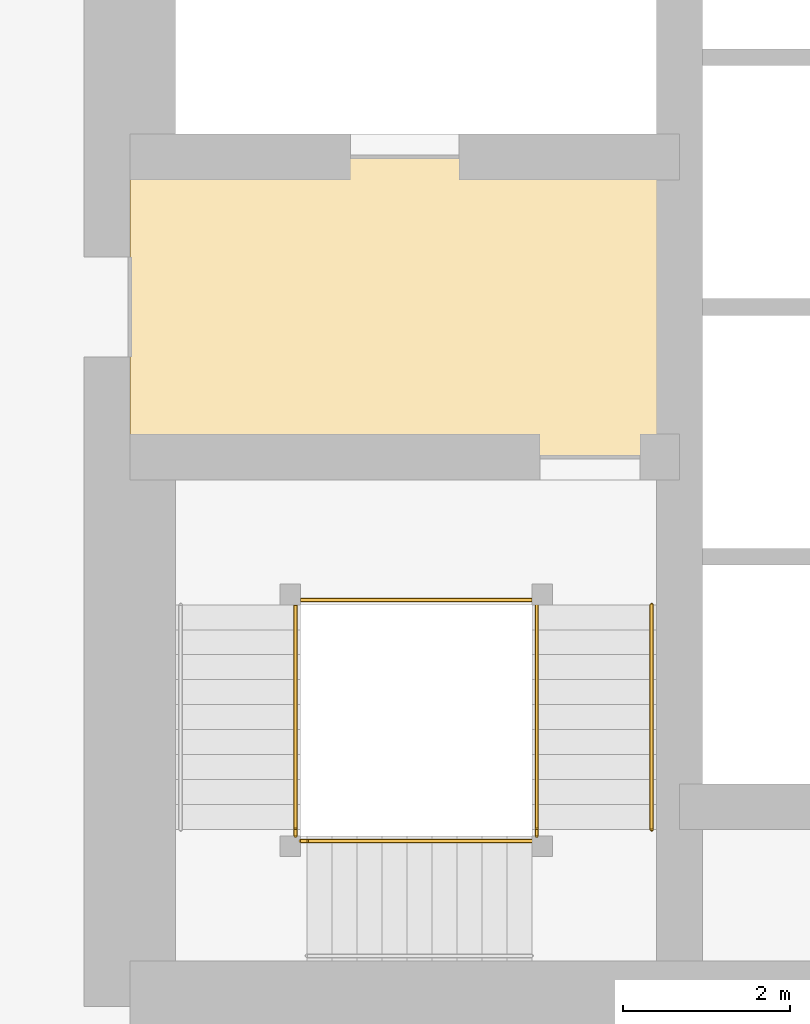
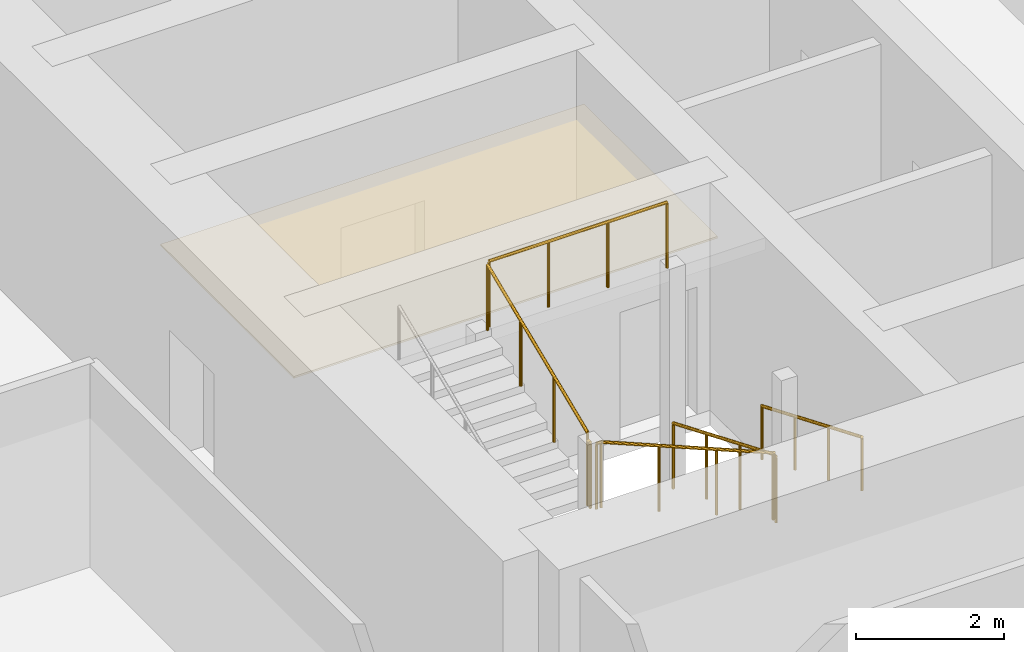
# One storey, part 39 of 46: 8 railings, 1 covering.
"""IFC4 building model written with IfcOpenShell, lengths in metres."""

from ifc_helpers import new_model, si_unit, direction, frame, origin, origin_2d, place, context, subcontext, project, spatial, polyline, circle, outline, extrude, material, layer, layer_set, type_object, element, save


model = new_model("IFC4")

# Units and contexts
model_context = context("Model", 3, precision=1e-05, world=origin(), true_north=direction((0.0, 1.0)))
body_context = subcontext(model_context, "Body", "Model", "MODEL_VIEW")
ifc_project = project(units=[si_unit("LENGTHUNIT", "METRE"), si_unit("AREAUNIT", "SQUARE_METRE"), si_unit("VOLUMEUNIT", "CUBIC_METRE"), si_unit("PLANEANGLEUNIT", "RADIAN"), si_unit("MASSUNIT", "GRAM", prefix="KILO")], contexts=[model_context])

# Site, building, storey
site_placement = place(None, origin())
site = spatial("IfcSite", under=ifc_project, at=site_placement, CompositionType="ELEMENT")
building_placement = place(site_placement, origin())
building = spatial("IfcBuilding", under=site, at=building_placement, Name="Rekha Terrace Tower", CompositionType="ELEMENT")
storey_placement = place(building_placement, frame((0.0, 0.0, 29.14990234375)))
storey = spatial("IfcBuildingStorey", under=building, at=storey_placement, Name="L06", CompositionType="ELEMENT", Elevation=29.14990234375)

# Covering
ifc_material_1 = material(Name="Powder-coated aluminium pan", Category="aluminium")
ifc_layer = layer(ifc_material_1, 0.030029296875)
ifc_layer_set = layer_set([ifc_layer], Name="Powder-coated aluminium pan")
covering_type = type_object("IfcCoveringType", Name="CL3 300x1200 metal pan ceiling", PredefinedType="CEILING", material=ifc_layer_set)
covering_placement = place(storey_placement, frame((0.0, 0.0, 2.570068359375)))
element("IfcCovering", 1, at=covering_placement, inside=storey, type_object=covering_type, Name="Ceiling L06-FLB1", PredefinedType="CEILING", context=body_context, shape_type="SweptSolid", body=[
    extrude(outline(polyline([(31.800048828125, 31.199951171875), (25.199951171875, 31.199951171875), (25.199951171875, 27.60009765625), (31.800048828125, 27.60009765625), (31.800048828125, 31.199951171875)])), origin(), (0.0, 0.0, 1.0), 0.030029296875),
])

# Railings
ifc_material_2 = material(Name="Stainless steel balustrade", Category="steel")
railing_type_1 = type_object("IfcRailingType", Name="GR1 1100 stair guard", PredefinedType="GUARDRAIL", material=ifc_material_2)
railing_1_placement = place(storey_placement, frame((30.0849609375, 25.824951171875, 0.125)))
element("IfcRailing", 2, at=railing_1_placement, inside=storey, type_object=railing_type_1, Name="Guard ST1 L06 flight 1", PredefinedType="GUARDRAIL", context=body_context, shape_type="SweptSolid", body=[
    extrude(circle(Radius=0.02392578125, at=origin_2d()), frame((0.0, 0.0, 1.076171875), z_axis=(0.0, -0.923074453586, 0.384621311341), x_axis=(1.0, 0.0, 0.0)), (0.0, 0.0, 1.0), 2.925048828125),
    extrude(circle(Radius=0.02099609375, at=origin_2d()), origin(), (0.0, 0.0, 1.0), 1.052001953125),
    extrude(circle(Radius=0.02099609375, at=origin_2d()), frame((0.0, -0.89990234375, 0.375)), (0.0, 0.0, 1.0), 1.052001953125),
    extrude(circle(Radius=0.02099609375, at=origin_2d()), frame((0.0, -1.800048828125, 0.75)), (0.0, 0.0, 1.0), 1.052001953125),
    extrude(circle(Radius=0.02099609375, at=origin_2d()), frame((0.0, -2.699951171875, 1.125)), (0.0, 0.0, 1.0), 1.052001953125),
])
railing_2_placement = place(storey_placement, frame((30.02490234375, 22.989990234375, 1.375)))
element("IfcRailing", 3, at=railing_2_placement, inside=storey, type_object=railing_type_1, Name="Guard ST1 L06 flight 2", PredefinedType="GUARDRAIL", context=body_context, shape_type="SweptSolid", body=[
    extrude(circle(Radius=0.02392578125, at=origin_2d()), frame((0.0, 0.0, 1.076171875), z_axis=(-0.923074453586, 0.0, 0.384621311341), x_axis=(0.0, -1.0, 0.0)), (0.0, 0.0, 1.0), 2.925048828125),
    extrude(circle(Radius=0.02099609375, at=origin_2d()), origin(), (0.0, 0.0, 1.0), 1.052001953125),
    extrude(circle(Radius=0.02099609375, at=origin_2d()), frame((-0.89990234375, 0.0, 0.375)), (0.0, 0.0, 1.0), 1.052001953125),
    extrude(circle(Radius=0.02099609375, at=origin_2d()), frame((-1.800048828125, 0.0, 0.75)), (0.0, 0.0, 1.0), 1.052001953125),
    extrude(circle(Radius=0.02099609375, at=origin_2d()), frame((-2.699951171875, 0.0, 1.125)), (0.0, 0.0, 1.0), 1.052001953125),
])
railing_3_placement = place(storey_placement, frame((27.18994140625, 23.125, 2.625)))
element("IfcRailing", 4, at=railing_3_placement, inside=storey, type_object=railing_type_1, Name="Guard ST1 L06 flight 3", PredefinedType="GUARDRAIL", context=body_context, shape_type="SweptSolid", body=[
    extrude(circle(Radius=0.02392578125, at=origin_2d()), frame((0.0, 0.0, 1.076171875), z_axis=(0.0, 0.923074453586, 0.384621311341), x_axis=(-1.0, 0.0, 0.0)), (0.0, 0.0, 1.0), 2.925048828125),
    extrude(circle(Radius=0.02099609375, at=origin_2d()), origin(), (0.0, 0.0, 1.0), 1.052001953125),
    extrude(circle(Radius=0.02099609375, at=origin_2d()), frame((0.0, 0.89990234375, 0.375)), (0.0, 0.0, 1.0), 1.052001953125),
    extrude(circle(Radius=0.02099609375, at=origin_2d()), frame((0.0, 1.800048828125, 0.75)), (0.0, 0.0, 1.0), 1.052001953125),
    extrude(circle(Radius=0.02099609375, at=origin_2d()), frame((0.0, 2.699951171875, 1.125)), (0.0, 0.0, 1.0), 1.052001953125),
])
railing_4_placement = place(storey_placement, frame((30.0849609375, 23.125, 1.25)))
element("IfcRailing", 5, at=railing_4_placement, inside=storey, type_object=railing_type_1, Name="Guard ST1 L06 landing 1", PredefinedType="GUARDRAIL", context=body_context, shape_type="SweptSolid", body=[
    extrude(circle(Radius=0.02392578125, at=origin_2d()), frame((0.0, 0.0, 1.076171875), z_axis=(0.0, -1.0, 0.0), x_axis=(1.0, 0.0, 0.0)), (0.0, 0.0, 1.0), 0.074951171875),
    extrude(circle(Radius=0.02099609375, at=origin_2d()), origin(), (0.0, 0.0, 1.0), 1.052001953125),
    extrude(circle(Radius=0.02099609375, at=origin_2d()), frame((0.0, -0.074951171875, 0.0)), (0.0, 0.0, 1.0), 1.052001953125),
])
railing_5_placement = place(storey_placement, frame((27.324951171875, 22.989990234375, 2.5)))
element("IfcRailing", 6, at=railing_5_placement, inside=storey, type_object=railing_type_1, Name="Guard ST1 L06 landing 2", PredefinedType="GUARDRAIL", context=body_context, shape_type="SweptSolid", body=[
    extrude(circle(Radius=0.02392578125, at=origin_2d()), frame((0.0, 0.0, 1.076171875), z_axis=(-1.0, 0.0, 0.0), x_axis=(0.0, -1.0, 0.0)), (0.0, 0.0, 1.0), 0.074951171875),
    extrude(circle(Radius=0.02099609375, at=origin_2d()), origin(), (0.0, 0.0, 1.0), 1.052001953125),
    extrude(circle(Radius=0.02099609375, at=origin_2d()), frame((-0.074951171875, 0.0, 0.0)), (0.0, 0.0, 1.0), 1.052001953125),
])
railing_6_placement = place(storey_placement, frame((27.18994140625, 23.125, 2.5)))
element("IfcRailing", 7, at=railing_6_placement, inside=storey, type_object=railing_type_1, Name="Guard ST1 L06 landing 3", PredefinedType="GUARDRAIL", context=body_context, shape_type="SweptSolid", body=[
    extrude(circle(Radius=0.02392578125, at=origin_2d()), frame((0.0, 0.0, 1.076171875), z_axis=(0.0, -1.0, 0.0), x_axis=(1.0, 0.0, 0.0)), (0.0, 0.0, 1.0), 0.074951171875),
    extrude(circle(Radius=0.02099609375, at=origin_2d()), origin(), (0.0, 0.0, 1.0), 1.052001953125),
    extrude(circle(Radius=0.02099609375, at=origin_2d()), frame((0.0, -0.074951171875, 0.0)), (0.0, 0.0, 1.0), 1.052001953125),
])
railing_7_placement = place(storey_placement, frame((30.02490234375, 25.885009765625, 3.75)))
element("IfcRailing", 8, at=railing_7_placement, inside=storey, type_object=railing_type_1, Name="Guard ST1 L06 landing 4", PredefinedType="GUARDRAIL", context=body_context, shape_type="SweptSolid", body=[
    extrude(circle(Radius=0.02392578125, at=origin_2d()), frame((0.0, 0.0, 1.076171875), z_axis=(-1.0, 0.0, 0.0), x_axis=(0.0, -1.0, 0.0)), (0.0, 0.0, 1.0), 2.77490234375),
    extrude(circle(Radius=0.02099609375, at=origin_2d()), origin(), (0.0, 0.0, 1.0), 1.052001953125),
    extrude(circle(Radius=0.02099609375, at=origin_2d()), frame((-0.925048828125, 0.0, 0.0)), (0.0, 0.0, 1.0), 1.052001953125),
    extrude(circle(Radius=0.02099609375, at=origin_2d()), frame((-1.849853515625, 0.0, 0.0)), (0.0, 0.0, 1.0), 1.052001953125),
    extrude(circle(Radius=0.02099609375, at=origin_2d()), frame((-2.77490234375, 0.0, 0.0)), (0.0, 0.0, 1.0), 1.052001953125),
])
ifc_material_3 = material(Name="Stainless steel tube", Category="steel")
railing_type_2 = type_object("IfcRailingType", Name="HR1 900 stair handrail", PredefinedType="HANDRAIL", material=ifc_material_3)
railing_8_placement = place(storey_placement, frame((31.465087890625, 25.824951171875, 0.125)))
element("IfcRailing", 9, at=railing_8_placement, inside=storey, type_object=railing_type_2, Name="Handrail ST1 L06 flight 1", PredefinedType="HANDRAIL", context=body_context, shape_type="SweptSolid", body=[
    extrude(circle(Radius=0.02392578125, at=origin_2d()), frame((0.0, 0.0, 0.8759765625), z_axis=(0.0, -0.923074453586, 0.384621311341), x_axis=(1.0, 0.0, 0.0)), (0.0, 0.0, 1.0), 2.925048828125),
    extrude(circle(Radius=0.02099609375, at=origin_2d()), origin(), (0.0, 0.0, 1.0), 0.851806640625),
    extrude(circle(Radius=0.02099609375, at=origin_2d()), frame((0.0, -0.89990234375, 0.375)), (0.0, 0.0, 1.0), 0.851806640625),
    extrude(circle(Radius=0.02099609375, at=origin_2d()), frame((0.0, -1.800048828125, 0.75)), (0.0, 0.0, 1.0), 0.851806640625),
    extrude(circle(Radius=0.02099609375, at=origin_2d()), frame((0.0, -2.699951171875, 1.125)), (0.0, 0.0, 1.0), 0.851806640625),
])

save(model, "model.ifc")
